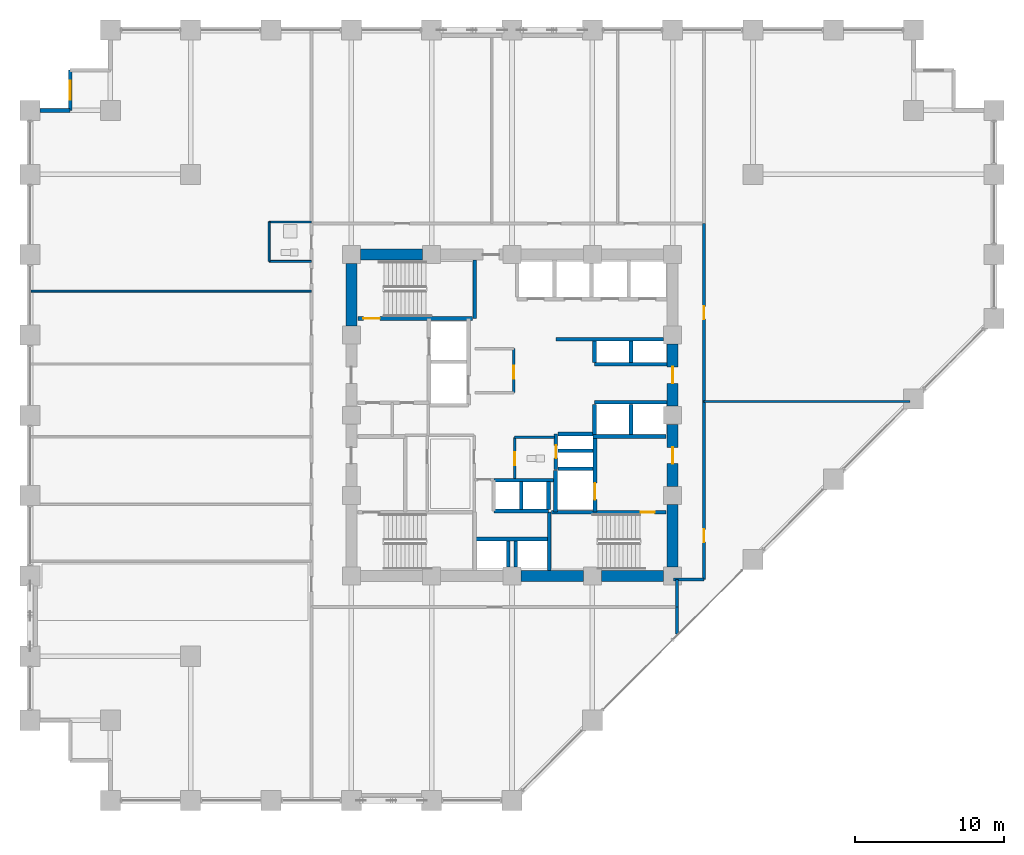
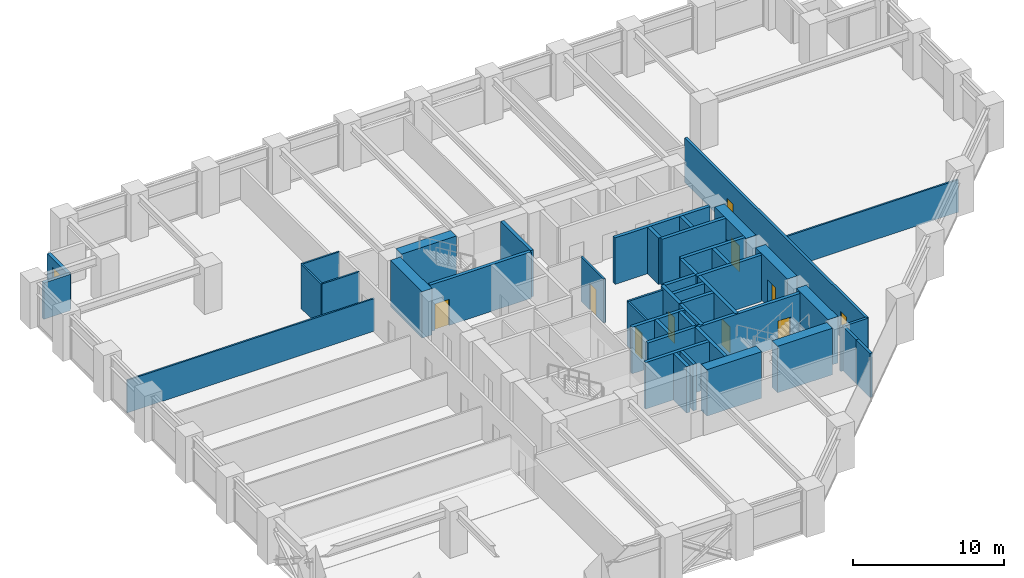
# One storey, part 21 of 25: 46 walls, 10 doors, 1 window, 11 openings.
"""IFC4 building model written with IfcOpenShell, lengths in metres."""

from ifc_helpers import new_model, si_unit, direction, frame, frame_2d, origin, place, context, subcontext, project, spatial, rectangle, extrude, material, layer, layer_set, type_object, element, fill, save


model = new_model("IFC4")

# Units and contexts
model_context = context("Model", 3, precision=1e-05, world=origin(), true_north=direction((0.0, 1.0)))
body_context = subcontext(model_context, "Body", "Model", "MODEL_VIEW")
ifc_project = project(units=[si_unit("LENGTHUNIT", "METRE"), si_unit("AREAUNIT", "SQUARE_METRE"), si_unit("VOLUMEUNIT", "CUBIC_METRE"), si_unit("PLANEANGLEUNIT", "RADIAN"), si_unit("MASSUNIT", "GRAM", prefix="KILO")], contexts=[model_context])

# Site, building, storey
site_placement = place(None, origin())
site = spatial("IfcSite", under=ifc_project, at=site_placement, CompositionType="ELEMENT")
building_placement = place(site_placement, origin())
building = spatial("IfcBuilding", under=site, at=building_placement, Name="Surkhivell Harbour Commons", CompositionType="ELEMENT")
storey_placement = place(building_placement, frame((0.0, 0.0, 33.75)))
storey = spatial("IfcBuildingStorey", under=building, at=storey_placement, Name="L08", CompositionType="ELEMENT", Elevation=33.75)

# Walls
ifc_material_1 = material(Name="Concrete C60/75", Category="concrete")
ifc_layer_1 = layer(ifc_material_1, 0.75)
ifc_layer_set_1 = layer_set([ifc_layer_1], Name="Concrete C60/75")
wall_type_1 = type_object("IfcWallType", Name="WAL-CORE-750", PredefinedType="SHEAR", material=ifc_layer_set_1)
for number, where, z_axis, x_axis, name in (
    (1, (-10.18994140625, 10.800048828125, 0.0), (0.0, 0.0, 1.0), (1.0, 0.0, 0.0), "L08 Core Shear Wall North 1"),
    (2, (10.800048828125, -10.18994140625, 0.0), (0.0, 0.0, 1.0), (0.0, 1.0, 0.0), "L08 Core Shear Wall East 1"),
):
    element("IfcWall", number, at=place(storey_placement, frame(where, z_axis=z_axis, x_axis=x_axis)), inside=storey, type_object=wall_type_1, Name=name, PredefinedType="SHEAR", context=body_context, shape_type="SweptSolid", body=[
        extrude(rectangle(XDim=4.179931640625, YDim=0.75, at=frame_2d((2.08984375, 0.0))), origin(), (0.0, 0.0, 1.0), 3.75),
    ])

# Wall, opening, door
wall_1_placement = place(storey_placement, frame((10.800048828125, -4.7900390625, 0.0), z_axis=(0.0, 0.0, 1.0), x_axis=(0.0, 1.0, 0.0)))
wall_1 = element("IfcWall", 3, at=wall_1_placement, inside=storey, type_object=wall_type_1, Name="L08 Core Shear Wall East 2", PredefinedType="SHEAR", context=body_context, shape_type="SweptSolid", body=[
    extrude(rectangle(XDim=4.179931640625, YDim=0.75, at=frame_2d((2.08984375, 0.0))), origin(), (0.0, 0.0, 1.0), 3.75),
])
opening_1_placement = place(wall_1_placement, frame((1.5400390625, 0.0, 0.0)))
opening_1 = element("IfcOpeningElement", 4, at=opening_1_placement, cuts=wall_1, Name="Opening ID-1", PredefinedType="OPENING", context=body_context, shape_type="SweptSolid", body=[
    extrude(rectangle(XDim=1.10009765625, YDim=2.10009765625, at=frame_2d((0.550048828125, 1.050048828125))), frame((0.0, 0.385009765625, 0.0), z_axis=(0.0, -1.0, 0.0), x_axis=(1.0, 0.0, 0.0)), (0.0, 0.0, 1.0), 0.77001953125),
])
ifc_material_2 = material(Name="Hardwood-veneered fire-rated door leaf", Category="wood")
door_type_1 = type_object("IfcDoorType", Name="DOR-FD120-1100", OperationType="NOTDEFINED", PredefinedType="DOOR", material=ifc_material_2)
door_1_placement = place(opening_1_placement, origin())
door_1 = element("IfcDoor", 5, at=door_1_placement, inside=storey, type_object=door_type_1, Name="L08 Firefighting Lobby 2 Corridor Door", OperationType="SINGLE_SWING_RIGHT", OverallHeight=2.10009765625, OverallWidth=1.10009765625, PredefinedType="DOOR", context=body_context, shape_type="SweptSolid", body=[
    extrude(rectangle(XDim=1.10009765625, YDim=2.10009765625, at=frame_2d((0.550048828125, 1.050048828125))), frame((0.0, 0.02490234375, 0.0), z_axis=(0.0, -1.0, 0.0), x_axis=(1.0, 0.0, 0.0)), (0.0, 0.0, 1.0), 0.050048828125),
])
fill(opening_1, door_1)

# Wall
wall_2_placement = place(storey_placement, frame((0.610107421875, -10.800048828125, 0.0), z_axis=(0.0, 0.0, 1.0), x_axis=(1.0, 0.0, 0.0)))
element("IfcWall", 6, at=wall_2_placement, inside=storey, type_object=wall_type_1, Name="L08 Core Shear Wall South 3", PredefinedType="SHEAR", context=body_context, shape_type="SweptSolid", body=[
    extrude(rectangle(XDim=4.179931640625, YDim=0.75, at=frame_2d((2.08984375, 0.0))), origin(), (0.0, 0.0, 1.0), 3.75),
])

# Wall, opening, door
wall_3_placement = place(storey_placement, frame((10.800048828125, 0.610107421875, 0.0), z_axis=(0.0, 0.0, 1.0), x_axis=(0.0, 1.0, 0.0)))
wall_3 = element("IfcWall", 7, at=wall_3_placement, inside=storey, type_object=wall_type_1, Name="L08 Core Shear Wall East 3", PredefinedType="SHEAR", context=body_context, shape_type="SweptSolid", body=[
    extrude(rectangle(XDim=4.179931640625, YDim=0.75, at=frame_2d((2.08984375, 0.0))), origin(), (0.0, 0.0, 1.0), 3.75),
])
opening_2_placement = place(wall_3_placement, frame((1.5400390625, 0.0, 0.0)))
opening_2 = element("IfcOpeningElement", 8, at=opening_2_placement, cuts=wall_3, Name="Opening ID-2", PredefinedType="OPENING", context=body_context, shape_type="SweptSolid", body=[
    extrude(rectangle(XDim=1.10009765625, YDim=2.10009765625, at=frame_2d((0.550048828125, 1.050048828125))), frame((0.0, 0.385009765625, 0.0), z_axis=(0.0, -1.0, 0.0), x_axis=(1.0, 0.0, 0.0)), (0.0, 0.0, 1.0), 0.77001953125),
])
door_type_2 = type_object("IfcDoorType", Name="DOR-FD60-1100", OperationType="NOTDEFINED", PredefinedType="DOOR", material=ifc_material_2)
door_2_placement = place(opening_2_placement, origin())
door_2 = element("IfcDoor", 9, at=door_2_placement, inside=storey, type_object=door_type_2, Name="L08 Mid-Rise Lobby East Door", OperationType="SINGLE_SWING_LEFT", OverallHeight=2.10009765625, OverallWidth=1.10009765625, PredefinedType="DOOR", context=body_context, shape_type="SweptSolid", body=[
    extrude(rectangle(XDim=1.10009765625, YDim=2.10009765625, at=frame_2d((0.550048828125, 1.050048828125))), frame((0.0, 0.02490234375, 0.0), z_axis=(0.0, -1.0, 0.0), x_axis=(1.0, 0.0, 0.0)), (0.0, 0.0, 1.0), 0.050048828125),
])
fill(opening_2, door_2)

# Walls
for number, where, z_axis, x_axis, name in (
    (10, (6.010009765625, -10.800048828125, 0.0), (0.0, 0.0, 1.0), (1.0, 0.0, 0.0), "L08 Core Shear Wall South 4"),
    (11, (-10.800048828125, 6.010009765625, 0.0), (0.0, 0.0, 1.0), (0.0, 1.0, 0.0), "L08 Core Shear Wall West 4"),
):
    element("IfcWall", number, at=place(storey_placement, frame(where, z_axis=z_axis, x_axis=x_axis)), inside=storey, type_object=wall_type_1, Name=name, PredefinedType="SHEAR", context=body_context, shape_type="SweptSolid", body=[
        extrude(rectangle(XDim=4.179931640625, YDim=0.75, at=frame_2d((2.08984375, 0.0))), origin(), (0.0, 0.0, 1.0), 3.75),
    ])

# Wall, opening, window
ifc_material_3 = material(Name="Pale-metal insulated precast concrete C45/55", Category="concrete")
ifc_layer_2 = layer(ifc_material_3, 0.260009765625)
ifc_layer_set_2 = layer_set([ifc_layer_2], Name="Pale-metal insulated precast concrete C45/55")
wall_type_2 = type_object("IfcWallType", Name="WAL-EXT-MTL260", PredefinedType="STANDARD", material=ifc_layer_set_2)
wall_4_placement = place(storey_placement, frame((-29.699951171875, 23.199951171875, 0.0), z_axis=(0.0, 0.0, 1.0), x_axis=(0.0, -1.0, 0.0)))
wall_4 = element("IfcWall", 12, at=wall_4_placement, inside=storey, type_object=wall_type_2, Name="L08 Serrated Corner Facade Wall 10", PredefinedType="STANDARD", context=body_context, shape_type="SweptSolid", body=[
    extrude(rectangle(XDim=2.699951171875, YDim=0.260009765625, at=frame_2d((1.35009765625, 0.0))), origin(), (0.0, 0.0, 1.0), 2.929931640625),
])
opening_3_placement = place(wall_4_placement, frame((0.72509765625, 0.0, 0.64990234375)))
opening_3 = element("IfcOpeningElement", 13, at=opening_3_placement, cuts=wall_4, Name="Opening WN-09", PredefinedType="OPENING", context=body_context, shape_type="SweptSolid", body=[
    extrude(rectangle(XDim=1.25, YDim=1.60009765625, at=frame_2d((0.625, 0.800048828125))), frame((0.0, 0.139892578125, 0.0), z_axis=(0.0, -1.0, 0.0), x_axis=(1.0, 0.0, 0.0)), (0.0, 0.0, 1.0), 0.280029296875),
])
ifc_material_4 = material(Name="Thermal-break aluminium frame and double low-E glazing", Category="aluminium")
window_type = type_object("IfcWindowType", Name="WIN-SER-1250x1600", PartitioningType="SINGLE_PANEL", PredefinedType="WINDOW", material=ifc_material_4)
window_placement = place(opening_3_placement, origin())
window = element("IfcWindow", 14, at=window_placement, inside=storey, type_object=window_type, Name="L08 Serrated Alcove Window 10", OverallHeight=1.60009765625, OverallWidth=1.25, PartitioningType="SINGLE_PANEL", PredefinedType="WINDOW", context=body_context, shape_type="SweptSolid", body=[
    extrude(rectangle(XDim=1.25, YDim=1.60009765625, at=frame_2d((0.625, 0.800048828125))), frame((0.0, 0.030029296875, 0.0), z_axis=(0.0, -1.0, 0.0), x_axis=(1.0, 0.0, 0.0)), (0.0, 0.0, 1.0), 0.06005859375),
])
fill(opening_3, window)

# Walls
wall_5_placement = place(storey_placement, frame((-29.699951171875, 20.5, 0.0), z_axis=(0.0, 0.0, 1.0), x_axis=(-1.0, 0.0, 0.0)))
element("IfcWall", 15, at=wall_5_placement, inside=storey, type_object=wall_type_2, Name="L08 Serrated Corner Facade Wall 11", PredefinedType="STANDARD", context=body_context, shape_type="SweptSolid", body=[
    extrude(rectangle(XDim=2.027099609375, YDim=0.260009765625, at=frame_2d((1.013671875, 0.0))), origin(), (0.0, 0.0, 1.0), 2.929931640625),
])
ifc_material_5 = material(Name="Moisture-resistant acoustic stud partition", Category="other")
ifc_layer_3 = layer(ifc_material_5, 0.125)
ifc_layer_set_3 = layer_set([ifc_layer_3], Name="Moisture-resistant acoustic stud partition")
wall_type_3 = type_object("IfcWallType", Name="WAL-INT-125", PredefinedType="PARTITIONING", material=ifc_layer_set_3)
wall_6_placement = place(storey_placement, frame((12.89990234375, 0.929931640625, 0.0), z_axis=(0.0, 0.0, 1.0), x_axis=(1.0, 0.0, 0.0)))
element("IfcWall", 16, at=wall_6_placement, inside=storey, type_object=wall_type_3, Name="L08 East Partition P1", PredefinedType="PARTITIONING", context=body_context, shape_type="SweptSolid", body=[
    extrude(rectangle(XDim=13.84521484375, YDim=0.125, at=frame_2d((6.922607421875, 0.0))), origin(), (0.0, 0.0, 1.0), 2.62890625),
])
wall_7_placement = place(storey_placement, frame((-16.330078125, 10.35009765625, 0.0), z_axis=(0.0, 0.0, 1.0), x_axis=(0.0, 1.0, 0.0)))
element("IfcWall", 17, at=wall_7_placement, inside=storey, type_object=wall_type_3, Name="L08 West Partition BTHB", PredefinedType="PARTITIONING", context=body_context, shape_type="SweptSolid", body=[
    extrude(rectangle(XDim=2.64990234375, YDim=0.125, at=frame_2d((1.324951171875, 0.0))), origin(), (0.0, 0.0, 1.0), 3.570068359375),
])
for number, where, z_axis, x_axis, name in (
    (18, (-16.330078125, 13.0, 0.0), (0.0, 0.0, 1.0), (1.0, 0.0, 0.0), "L08 West Partition BTHN"),
    (19, (-16.330078125, 10.35009765625, 0.0), (0.0, 0.0, 1.0), (1.0, 0.0, 0.0), "L08 West Partition BTHS"),
):
    element("IfcWall", number, at=place(storey_placement, frame(where, z_axis=z_axis, x_axis=x_axis)), inside=storey, type_object=wall_type_3, Name=name, PredefinedType="PARTITIONING", context=body_context, shape_type="SweptSolid", body=[
        extrude(rectangle(XDim=2.85009765625, YDim=0.125, at=frame_2d((1.425048828125, 0.0))), origin(), (0.0, 0.0, 1.0), 3.570068359375),
    ])
wall_8_placement = place(storey_placement, frame((-32.340087890625, 8.35009765625, 0.0), z_axis=(0.0, 0.0, 1.0), x_axis=(1.0, 0.0, 0.0)))
element("IfcWall", 20, at=wall_8_placement, inside=storey, type_object=wall_type_3, Name="L08 West Partition PTOP", PredefinedType="PARTITIONING", context=body_context, shape_type="SweptSolid", body=[
    extrude(rectangle(XDim=18.860107421875, YDim=0.125, at=frame_2d((9.43017578125, 0.0))), origin(), (0.0, 0.0, 1.0), 2.62890625),
])
ifc_material_6 = material(Name="Twin-stud acoustic fireboard partition", Category="other")
ifc_layer_4 = layer(ifc_material_6, 0.14990234375)
ifc_layer_set_4 = layer_set([ifc_layer_4], Name="Twin-stud acoustic fireboard partition")
wall_type_4 = type_object("IfcWallType", Name="WAL-INT-150", PredefinedType="PARTITIONING", material=ifc_layer_set_4)
wall_9_placement = place(storey_placement, frame((0.179931640625, -1.47998046875, 0.0), z_axis=(0.0, 0.0, 1.0), x_axis=(1.0, 0.0, 0.0)))
element("IfcWall", 21, at=wall_9_placement, inside=storey, type_object=wall_type_4, Name="L08 Core Accessible WC North Wall", PredefinedType="PARTITIONING", context=body_context, shape_type="SweptSolid", body=[
    extrude(rectangle(XDim=2.670166015625, YDim=0.14990234375, at=frame_2d((1.3349609375, 0.0))), origin(), (0.0, 0.0, 1.0), 3.570068359375),
])

# Wall, opening, door
wall_10_placement = place(storey_placement, frame((0.179931640625, -4.25, 0.0), z_axis=(0.0, 0.0, 1.0), x_axis=(0.0, 1.0, 0.0)))
wall_10 = element("IfcWall", 22, at=wall_10_placement, inside=storey, type_object=wall_type_4, Name="L08 Core Accessible WC West Wall", PredefinedType="PARTITIONING", context=body_context, shape_type="SweptSolid", body=[
    extrude(rectangle(XDim=2.77001953125, YDim=0.14990234375, at=frame_2d((1.385009765625, 0.0))), origin(), (0.0, 0.0, 1.0), 3.570068359375),
])
opening_4_placement = place(wall_10_placement, frame((0.89990234375, 0.0, 0.0)))
opening_4 = element("IfcOpeningElement", 23, at=opening_4_placement, cuts=wall_10, Name="Opening ID-6", PredefinedType="OPENING", context=body_context, shape_type="SweptSolid", body=[
    extrude(rectangle(XDim=0.85009765625, YDim=2.10009765625, at=frame_2d((0.425048828125, 1.050048828125))), frame((0.0, 0.0849609375, 0.0), z_axis=(0.0, -1.0, 0.0), x_axis=(1.0, 0.0, 0.0)), (0.0, 0.0, 1.0), 0.169921875),
])
door_type_3 = type_object("IfcDoorType", Name="DOR-FD30-850", OperationType="NOTDEFINED", PredefinedType="DOOR", material=ifc_material_2)
door_3_placement = place(opening_4_placement, origin())
door_3 = element("IfcDoor", 24, at=door_3_placement, inside=storey, type_object=door_type_3, Name="L08 Floor Accessible WC Door", OperationType="SINGLE_SWING_LEFT", OverallHeight=2.10009765625, OverallWidth=0.85009765625, PredefinedType="DOOR", context=body_context, shape_type="SweptSolid", body=[
    extrude(rectangle(XDim=0.85009765625, YDim=2.10009765625, at=frame_2d((0.425048828125, 1.050048828125))), frame((0.0, 0.02490234375, 0.0), z_axis=(0.0, -1.0, 0.0), x_axis=(1.0, 0.0, 0.0)), (0.0, 0.0, 1.0), 0.050048828125),
])
fill(opening_4, door_3)

wall_11_placement = place(storey_placement, frame((0.1201171875, 1.52001953125, 0.0), z_axis=(0.0, 0.0, 1.0), x_axis=(0.0, 1.0, 0.0)))
wall_11 = element("IfcWall", 25, at=wall_11_placement, inside=storey, type_object=wall_type_4, Name="L08 Central Reading East Wall", PredefinedType="PARTITIONING", context=body_context, shape_type="SweptSolid", body=[
    extrude(rectangle(XDim=2.9599609375, YDim=0.14990234375, at=frame_2d((1.47998046875, 0.0))), origin(), (0.0, 0.0, 1.0), 3.570068359375),
])
opening_5_placement = place(wall_11_placement, frame((0.949951171875, 0.0, 0.0)))
opening_5 = element("IfcOpeningElement", 26, at=opening_5_placement, cuts=wall_11, Name="Opening ID-6", PredefinedType="OPENING", context=body_context, shape_type="SweptSolid", body=[
    extrude(rectangle(XDim=0.85009765625, YDim=2.10009765625, at=frame_2d((0.425048828125, 1.050048828125))), frame((0.0, 0.0849609375, 0.0), z_axis=(0.0, -1.0, 0.0), x_axis=(1.0, 0.0, 0.0)), (0.0, 0.0, 1.0), 0.169921875),
])
door_4_placement = place(opening_5_placement, origin())
door_4 = element("IfcDoor", 27, at=door_4_placement, inside=storey, type_object=door_type_3, Name="L08 Central Core Reading Door", OperationType="SINGLE_SWING_RIGHT", OverallHeight=2.10009765625, OverallWidth=0.85009765625, PredefinedType="DOOR", context=body_context, shape_type="SweptSolid", body=[
    extrude(rectangle(XDim=0.85009765625, YDim=2.10009765625, at=frame_2d((0.425048828125, 1.050048828125))), frame((0.0, 0.02490234375, 0.0), z_axis=(0.0, -1.0, 0.0), x_axis=(1.0, 0.0, 0.0)), (0.0, 0.0, 1.0), 0.050048828125),
])
fill(opening_5, door_4)

# Wall
ifc_material_7 = material(Name="Autoclaved aerated concrete blockwork and fire plaster", Category="masonry")
ifc_layer_5 = layer(ifc_material_7, 0.199951171875)
ifc_layer_set_5 = layer_set([ifc_layer_5], Name="Autoclaved aerated concrete blockwork and fire plaster")
wall_type_5 = type_object("IfcWallType", Name="WAL-INT-200", PredefinedType="PARTITIONING", material=ifc_layer_set_5)
wall_12_placement = place(storey_placement, frame((11.10009765625, -14.715087890625, 0.0), z_axis=(0.0, 0.0, 1.0), x_axis=(0.0, 1.0, 0.0)))
element("IfcWall", 28, at=wall_12_placement, inside=storey, type_object=wall_type_5, Name="L08 South-East Wing Corner Divider", PredefinedType="PARTITIONING", context=body_context, shape_type="SweptSolid", body=[
    extrude(rectangle(XDim=1.815185546875, YDim=0.199951171875, at=frame_2d((0.90771484375, 0.0))), origin(), (0.0, 0.0, 1.0), 3.570068359375),
])

# Wall, openings, doors
wall_13_placement = place(storey_placement, frame((12.89990234375, -11.0400390625, 0.0), z_axis=(0.0, 0.0, 1.0), x_axis=(0.0, 1.0, 0.0)))
wall_13 = element("IfcWall", 29, at=wall_13_placement, inside=storey, type_object=wall_type_5, Name="L08 Corridor East Wall", PredefinedType="PARTITIONING", context=body_context, shape_type="SweptSolid", body=[
    extrude(rectangle(XDim=23.93994140625, YDim=0.199951171875, at=frame_2d((11.969970703125, 0.0))), origin(), (0.0, 0.0, 1.0), 3.570068359375),
])
opening_6_placement = place(wall_13_placement, frame((2.513916015625, 0.0, 0.0)))
opening_6 = element("IfcOpeningElement", 30, at=opening_6_placement, cuts=wall_13, Name="Opening ID-6", PredefinedType="OPENING", context=body_context, shape_type="SweptSolid", body=[
    extrude(rectangle(XDim=0.85009765625, YDim=2.10009765625, at=frame_2d((0.425048828125, 1.050048828125))), frame((0.0, 0.10986328125, 0.0), z_axis=(0.0, -1.0, 0.0), x_axis=(1.0, 0.0, 0.0)), (0.0, 0.0, 1.0), 0.219970703125),
])
opening_7_placement = place(wall_13_placement, frame((17.5048828125, 0.0, 0.0)))
opening_7 = element("IfcOpeningElement", 31, at=opening_7_placement, cuts=wall_13, Name="Opening ID-6", PredefinedType="OPENING", context=body_context, shape_type="SweptSolid", body=[
    extrude(rectangle(XDim=0.85009765625, YDim=2.10009765625, at=frame_2d((0.425048828125, 1.050048828125))), frame((0.0, 0.10986328125, 0.0), z_axis=(0.0, -1.0, 0.0), x_axis=(1.0, 0.0, 0.0)), (0.0, 0.0, 1.0), 0.219970703125),
])
door_5_placement = place(opening_6_placement, origin())
door_5 = element("IfcDoor", 32, at=door_5_placement, inside=storey, type_object=door_type_3, Name="L08 Campus Co-Op Bookshop East Door", OperationType="SINGLE_SWING_LEFT", OverallHeight=2.10009765625, OverallWidth=0.85009765625, PredefinedType="DOOR", context=body_context, shape_type="SweptSolid", body=[
    extrude(rectangle(XDim=0.85009765625, YDim=2.10009765625, at=frame_2d((0.425048828125, 1.050048828125))), frame((0.0, 0.02490234375, 0.0), z_axis=(0.0, -1.0, 0.0), x_axis=(1.0, 0.0, 0.0)), (0.0, 0.0, 1.0), 0.050048828125),
])
fill(opening_6, door_5)
door_6_placement = place(opening_7_placement, origin())
door_6 = element("IfcDoor", 33, at=door_6_placement, inside=storey, type_object=door_type_3, Name="L08 Harbour Espresso Cafe Shop East Door", OperationType="SINGLE_SWING_RIGHT", OverallHeight=2.10009765625, OverallWidth=0.85009765625, PredefinedType="DOOR", context=body_context, shape_type="SweptSolid", body=[
    extrude(rectangle(XDim=0.85009765625, YDim=2.10009765625, at=frame_2d((0.425048828125, 1.050048828125))), frame((0.0, 0.02490234375, 0.0), z_axis=(0.0, -1.0, 0.0), x_axis=(1.0, 0.0, 0.0)), (0.0, 0.0, 1.0), 0.050048828125),
])
fill(opening_7, door_6)

# Walls
wall_14_placement = place(storey_placement, frame((10.85009765625, -11.0400390625, 0.0), z_axis=(0.0, 0.0, 1.0), x_axis=(1.0, 0.0, 0.0)))
element("IfcWall", 34, at=wall_14_placement, inside=storey, type_object=wall_type_5, Name="L08 Corridor East South Closure Wall", PredefinedType="PARTITIONING", context=body_context, shape_type="SweptSolid", body=[
    extrude(rectangle(XDim=2.0498046875, YDim=0.199951171875, at=frame_2d((1.02490234375, 0.0))), origin(), (0.0, 0.0, 1.0), 3.570068359375),
])
wall_15_placement = place(storey_placement, frame((11.10009765625, -12.89990234375, 0.0), z_axis=(0.0, 0.0, 1.0), x_axis=(0.0, 1.0, 0.0)))
element("IfcWall", 35, at=wall_15_placement, inside=storey, type_object=wall_type_5, Name="L08 Corridor SE Closure Wall", PredefinedType="PARTITIONING", context=body_context, shape_type="SweptSolid", body=[
    extrude(rectangle(XDim=1.85986328125, YDim=0.199951171875, at=frame_2d((0.929931640625, 0.0))), origin(), (0.0, 0.0, 1.0), 3.570068359375),
])
ifc_material_8 = material(Name="Concrete C50/60", Category="concrete")
ifc_layer_6 = layer(ifc_material_8, 0.25)
ifc_layer_set_6 = layer_set([ifc_layer_6], Name="Concrete C50/60")
wall_type_6 = type_object("IfcWallType", Name="WAL-SHAFT-250", PredefinedType="SHEAR", material=ifc_layer_set_6)
wall_16_placement = place(storey_placement, frame((2.929931640625, -6.510009765625, 0.0), z_axis=(0.0, 0.0, 1.0), x_axis=(0.0, 1.0, 0.0)))
element("IfcWall", 36, at=wall_16_placement, inside=storey, type_object=wall_type_6, Name="L08 FFL2 West Shaft Wall", PredefinedType="SHEAR", context=body_context, shape_type="SweptSolid", body=[
    extrude(rectangle(XDim=2.7900390625, YDim=0.25, at=frame_2d((1.39501953125, 0.0))), origin(), (0.0, 0.0, 1.0), 3.75),
])
wall_17_placement = place(storey_placement, frame((5.43994140625, -1.419921875, 0.0), z_axis=(0.0, 0.0, 1.0), x_axis=(1.0, 0.0, 0.0)))
element("IfcWall", 37, at=wall_17_placement, inside=storey, type_object=wall_type_6, Name="L08 Firefighting Lobby 2 North Wall", PredefinedType="SHEAR", context=body_context, shape_type="SweptSolid", body=[
    extrude(rectangle(XDim=4.900146484375, YDim=0.25, at=frame_2d((2.4501953125, 0.0))), origin(), (0.0, 0.0, 1.0), 3.75),
])
wall_18_placement = place(storey_placement, frame((3.080078125, -3.60009765625, 0.0), z_axis=(0.0, 0.0, 1.0), x_axis=(1.0, 0.0, 0.0)))
element("IfcWall", 38, at=wall_18_placement, inside=storey, type_object=wall_type_6, Name="L08 FFL2 North Shaft Wall", PredefinedType="SHEAR", context=body_context, shape_type="SweptSolid", body=[
    extrude(rectangle(XDim=2.369873046875, YDim=0.25, at=frame_2d((1.18505859375, 0.0))), origin(), (0.0, 0.0, 1.0), 3.75),
])

# Wall, opening, door
wall_19_placement = place(storey_placement, frame((5.580078125, -6.510009765625, 0.0), z_axis=(0.0, 0.0, 1.0), x_axis=(0.0, 1.0, 0.0)))
wall_19 = element("IfcWall", 39, at=wall_19_placement, inside=storey, type_object=wall_type_6, Name="L08 Firefighting Lobby 2 West Shaft Wall", PredefinedType="SHEAR", context=body_context, shape_type="SweptSolid", body=[
    extrude(rectangle(XDim=5.090087890625, YDim=0.25, at=frame_2d((2.544921875, 0.0))), origin(), (0.0, 0.0, 1.0), 3.75),
])
opening_8_placement = place(wall_19_placement, frame((0.85009765625, 0.0, 0.0)))
opening_8 = element("IfcOpeningElement", 40, at=opening_8_placement, cuts=wall_19, Name="Opening LD-1", PredefinedType="OPENING", context=body_context, shape_type="SweptSolid", body=[
    extrude(rectangle(XDim=1.10009765625, YDim=2.10009765625, at=frame_2d((0.550048828125, 1.050048828125))), frame((0.0, 0.135009765625, 0.0), z_axis=(0.0, -1.0, 0.0), x_axis=(1.0, 0.0, 0.0)), (0.0, 0.0, 1.0), 0.27001953125),
])
ifc_material_9 = material(Name="Brushed stainless steel S355", Category="steel")
door_type_4 = type_object("IfcDoorType", Name="DOR-LD-1100", OperationType="SLIDING_TO_LEFT", PredefinedType="DOOR", material=ifc_material_9)
door_7_placement = place(opening_8_placement, origin())
door_7 = element("IfcDoor", 41, at=door_7_placement, inside=storey, type_object=door_type_4, Name="L08 Lift Landing Door LD-FFL2", OperationType="SLIDING_TO_RIGHT", OverallHeight=2.10009765625, OverallWidth=1.10009765625, PredefinedType="DOOR", context=body_context, shape_type="SweptSolid", body=[
    extrude(rectangle(XDim=1.10009765625, YDim=2.10009765625, at=frame_2d((0.550048828125, 1.050048828125))), frame((0.0, 0.02490234375, 0.0), z_axis=(0.0, -1.0, 0.0), x_axis=(1.0, 0.0, 0.0)), (0.0, 0.0, 1.0), 0.050048828125),
])
fill(opening_8, door_7)

# Walls
for number, where, z_axis, x_axis, name in (
    (42, (0.6201171875, -6.340087890625, 0.0), (0.0, 0.0, 1.0), (0.0, 1.0, 0.0), "L08 High-Rise Side Wall N"),
    (43, (2.449951171875, -6.340087890625, 0.0), (0.0, 0.0, 1.0), (0.0, 1.0, 0.0), "L08 High-Rise Side Wall N"),
):
    element("IfcWall", number, at=place(storey_placement, frame(where, z_axis=z_axis, x_axis=x_axis)), inside=storey, type_object=wall_type_6, Name=name, PredefinedType="SHEAR", context=body_context, shape_type="SweptSolid", body=[
        extrude(rectangle(XDim=1.880126953125, YDim=0.25, at=frame_2d((0.93994140625, 0.0))), origin(), (0.0, 0.0, 1.0), 3.75),
    ])
for number, where, z_axis, x_axis, name in (
    (44, (-0.25, -10.199951171875, 0.0), (0.0, 0.0, 1.0), (0.0, 1.0, 0.0), "L08 High-Rise Side Wall S"),
    (45, (0.25, -10.199951171875, 0.0), (0.0, 0.0, 1.0), (0.0, 1.0, 0.0), "L08 High-Rise Side Wall S"),
):
    element("IfcWall", number, at=place(storey_placement, frame(where, z_axis=z_axis, x_axis=x_axis)), inside=storey, type_object=wall_type_6, Name=name, PredefinedType="SHEAR", context=body_context, shape_type="SweptSolid", body=[
        extrude(rectangle(XDim=1.760009765625, YDim=0.25, at=frame_2d((0.8798828125, 0.0))), origin(), (0.0, 0.0, 1.0), 3.75),
    ])
wall_20_placement = place(storey_placement, frame((-1.219970703125, -6.43994140625, 0.0), z_axis=(0.0, 0.0, 1.0), x_axis=(1.0, 0.0, 0.0)))
element("IfcWall", 46, at=wall_20_placement, inside=storey, type_object=wall_type_6, Name="L08 High-Rise North Front Shaft Wall", PredefinedType="SHEAR", context=body_context, shape_type="SweptSolid", body=[
    extrude(rectangle(XDim=3.669921875, YDim=0.25, at=frame_2d((1.8349609375, 0.0))), origin(), (0.0, 0.0, 1.0), 3.75),
])
wall_21_placement = place(storey_placement, frame((-2.47998046875, -8.320068359375, 0.0), z_axis=(0.0, 0.0, 1.0), x_axis=(1.0, 0.0, 0.0)))
element("IfcWall", 47, at=wall_21_placement, inside=storey, type_object=wall_type_6, Name="L08 High-Rise South Front Shaft Wall", PredefinedType="SHEAR", context=body_context, shape_type="SweptSolid", body=[
    extrude(rectangle(XDim=4.929931640625, YDim=0.25, at=frame_2d((2.46484375, 0.0))), origin(), (0.0, 0.0, 1.0), 3.75),
])
wall_22_placement = place(storey_placement, frame((-1.219970703125, -4.360107421875, 0.0), z_axis=(0.0, 0.0, 1.0), x_axis=(1.0, 0.0, 0.0)))
element("IfcWall", 48, at=wall_22_placement, inside=storey, type_object=wall_type_6, Name="L08 High-Rise North Back Shaft Wall", PredefinedType="SHEAR", context=body_context, shape_type="SweptSolid", body=[
    extrude(rectangle(XDim=4.030029296875, YDim=0.25, at=frame_2d((2.01513671875, 0.0))), origin(), (0.0, 0.0, 1.0), 3.75),
])
wall_23_placement = place(storey_placement, frame((2.949951171875, 5.1201171875, 0.0), z_axis=(0.0, 0.0, 1.0), x_axis=(1.0, 0.0, 0.0)))
element("IfcWall", 49, at=wall_23_placement, inside=storey, type_object=wall_type_6, Name="L08 Low-Rise Lobby South Wall", PredefinedType="SHEAR", context=body_context, shape_type="SweptSolid", body=[
    extrude(rectangle(XDim=7.25, YDim=0.25, at=frame_2d((3.625, 0.0))), origin(), (0.0, 0.0, 1.0), 3.75),
])
for number, where, z_axis, x_axis, name in (
    (50, (5.550048828125, 3.550048828125, 0.0), (0.0, 0.0, 1.0), (0.0, 1.0, 0.0), "L08 Mid-Rise Shaft Side Wall N"),
    (51, (8.0, 3.550048828125, 0.0), (0.0, 0.0, 1.0), (0.0, 1.0, 0.0), "L08 Mid-Rise Shaft Side Wall N"),
):
    element("IfcWall", number, at=place(storey_placement, frame(where, z_axis=z_axis, x_axis=x_axis)), inside=storey, type_object=wall_type_6, Name=name, PredefinedType="SHEAR", context=body_context, shape_type="SweptSolid", body=[
        extrude(rectangle(XDim=1.449951171875, YDim=0.25, at=frame_2d((0.72509765625, 0.0))), origin(), (0.0, 0.0, 1.0), 3.75),
    ])
for number, where, z_axis, x_axis, name in (
    (52, (5.550048828125, -1.300048828125, 0.0), (0.0, 0.0, 1.0), (0.0, 1.0, 0.0), "L08 Mid-Rise Shaft Side Wall S"),
    (53, (8.0, -1.300048828125, 0.0), (0.0, 0.0, 1.0), (0.0, 1.0, 0.0), "L08 Mid-Rise Shaft Side Wall S"),
):
    element("IfcWall", number, at=place(storey_placement, frame(where, z_axis=z_axis, x_axis=x_axis)), inside=storey, type_object=wall_type_6, Name=name, PredefinedType="SHEAR", context=body_context, shape_type="SweptSolid", body=[
        extrude(rectangle(XDim=2.0400390625, YDim=0.25, at=frame_2d((1.02001953125, 0.0))), origin(), (0.0, 0.0, 1.0), 3.75),
    ])
for number, where, z_axis, x_axis, name in (
    (54, (5.550048828125, 3.429931640625, 0.0), (0.0, 0.0, 1.0), (1.0, 0.0, 0.0), "L08 Mid-Rise North Front Shaft Wall"),
    (55, (5.550048828125, 0.8701171875, 0.0), (0.0, 0.0, 1.0), (1.0, 0.0, 0.0), "L08 Mid-Rise South Front Shaft Wall"),
):
    element("IfcWall", number, at=place(storey_placement, frame(where, z_axis=z_axis, x_axis=x_axis)), inside=storey, type_object=wall_type_6, Name=name, PredefinedType="SHEAR", context=body_context, shape_type="SweptSolid", body=[
        extrude(rectangle(XDim=4.875, YDim=0.25, at=frame_2d((2.4375, 0.0))), origin(), (0.0, 0.0, 1.0), 3.75),
    ])
for number, where, z_axis, x_axis, name in (
    (56, (3.080078125, -2.3798828125, 0.0), (0.0, 0.0, 1.0), (1.0, 0.0, 0.0), "L08 Riser Divider Wall"),
    (57, (3.080078125, -1.25, 0.0), (0.0, 0.0, 1.0), (1.0, 0.0, 0.0), "L08 Riser North Wall"),
):
    element("IfcWall", number, at=place(storey_placement, frame(where, z_axis=z_axis, x_axis=x_axis)), inside=storey, type_object=wall_type_6, Name=name, PredefinedType="SHEAR", context=body_context, shape_type="SweptSolid", body=[
        extrude(rectangle(XDim=2.369873046875, YDim=0.25, at=frame_2d((1.18505859375, 0.0))), origin(), (0.0, 0.0, 1.0), 3.75),
    ])

# Wall, opening, door
wall_24_placement = place(storey_placement, frame((2.949951171875, -3.64990234375, 0.0), z_axis=(0.0, 0.0, 1.0), x_axis=(0.0, 1.0, 0.0)))
wall_24 = element("IfcWall", 58, at=wall_24_placement, inside=storey, type_object=wall_type_6, Name="L08 Riser Shaft West Wall", PredefinedType="SHEAR", context=body_context, shape_type="SweptSolid", body=[
    extrude(rectangle(XDim=2.39990234375, YDim=0.25, at=frame_2d((1.199951171875, 0.0))), origin(), (0.0, 0.0, 1.0), 3.75),
])
opening_9_placement = place(wall_24_placement, frame((0.77490234375, 0.0, 0.0)))
opening_9 = element("IfcOpeningElement", 59, at=opening_9_placement, cuts=wall_24, Name="Opening ID-6", PredefinedType="OPENING", context=body_context, shape_type="SweptSolid", body=[
    extrude(rectangle(XDim=0.85009765625, YDim=2.10009765625, at=frame_2d((0.425048828125, 1.050048828125))), frame((0.0, 0.135009765625, 0.0), z_axis=(0.0, -1.0, 0.0), x_axis=(1.0, 0.0, 0.0)), (0.0, 0.0, 1.0), 0.27001953125),
])
door_8_placement = place(opening_9_placement, origin())
door_8 = element("IfcDoor", 60, at=door_8_placement, inside=storey, type_object=door_type_3, Name="L08 Electrical Riser Access Door", OperationType="SINGLE_SWING_LEFT", OverallHeight=2.10009765625, OverallWidth=0.85009765625, PredefinedType="DOOR", context=body_context, shape_type="SweptSolid", body=[
    extrude(rectangle(XDim=0.85009765625, YDim=2.10009765625, at=frame_2d((0.425048828125, 1.050048828125))), frame((0.0, 0.02490234375, 0.0), z_axis=(0.0, -1.0, 0.0), x_axis=(1.0, 0.0, 0.0)), (0.0, 0.0, 1.0), 0.050048828125),
])
fill(opening_9, door_8)

# Wall
wall_25_placement = place(storey_placement, frame((-2.510009765625, 6.510009765625, 0.0), z_axis=(0.0, 0.0, 1.0), x_axis=(0.0, 1.0, 0.0)))
element("IfcWall", 61, at=wall_25_placement, inside=storey, type_object=wall_type_6, Name="L08 Stair ST1 East Shear Wall", PredefinedType="SHEAR", context=body_context, shape_type="SweptSolid", body=[
    extrude(rectangle(XDim=3.9150390625, YDim=0.25, at=frame_2d((1.95751953125, 0.0))), origin(), (0.0, 0.0, 1.0), 3.75),
])

# Wall, opening, door
wall_26_placement = place(storey_placement, frame((-10.340087890625, 6.510009765625, 0.0), z_axis=(0.0, 0.0, 1.0), x_axis=(1.0, 0.0, 0.0)))
wall_26 = element("IfcWall", 62, at=wall_26_placement, inside=storey, type_object=wall_type_6, Name="L08 Stair ST1 South Shear Wall", PredefinedType="SHEAR", context=body_context, shape_type="SweptSolid", body=[
    extrude(rectangle(XDim=7.7001953125, YDim=0.25, at=frame_2d((3.85009765625, 0.0))), origin(), (0.0, 0.0, 1.0), 3.75),
])
opening_10_placement = place(wall_26_placement, frame((0.35009765625, 0.0, 0.0)))
opening_10 = element("IfcOpeningElement", 63, at=opening_10_placement, cuts=wall_26, Name="Opening ID-2", PredefinedType="OPENING", context=body_context, shape_type="SweptSolid", body=[
    extrude(rectangle(XDim=1.10009765625, YDim=2.10009765625, at=frame_2d((0.550048828125, 1.050048828125))), frame((0.0, 0.135009765625, 0.0), z_axis=(0.0, -1.0, 0.0), x_axis=(1.0, 0.0, 0.0)), (0.0, 0.0, 1.0), 0.27001953125),
])
door_9_placement = place(opening_10_placement, origin())
door_9 = element("IfcDoor", 64, at=door_9_placement, inside=storey, type_object=door_type_2, Name="L08 Stair ST1 Exit Door", OperationType="SINGLE_SWING_LEFT", OverallHeight=2.10009765625, OverallWidth=1.10009765625, PredefinedType="DOOR", context=body_context, shape_type="SweptSolid", body=[
    extrude(rectangle(XDim=1.10009765625, YDim=2.10009765625, at=frame_2d((0.550048828125, 1.050048828125))), frame((0.0, 0.02490234375, 0.0), z_axis=(0.0, -1.0, 0.0), x_axis=(1.0, 0.0, 0.0)), (0.0, 0.0, 1.0), 0.050048828125),
])
fill(opening_10, door_9)

wall_27_placement = place(storey_placement, frame((2.639892578125, -6.510009765625, 0.0), z_axis=(0.0, 0.0, 1.0), x_axis=(1.0, 0.0, 0.0)))
wall_27 = element("IfcWall", 65, at=wall_27_placement, inside=storey, type_object=wall_type_6, Name="L08 Stair ST2 North Shear Wall", PredefinedType="SHEAR", context=body_context, shape_type="SweptSolid", body=[
    extrude(rectangle(XDim=7.7001953125, YDim=0.25, at=frame_2d((3.85009765625, 0.0))), origin(), (0.0, 0.0, 1.0), 3.75),
])
opening_11_placement = place(wall_27_placement, frame((6.0, 0.0, 0.0)))
opening_11 = element("IfcOpeningElement", 66, at=opening_11_placement, cuts=wall_27, Name="Opening ID-4", PredefinedType="OPENING", context=body_context, shape_type="SweptSolid", body=[
    extrude(rectangle(XDim=0.949951171875, YDim=2.10009765625, at=frame_2d((0.47509765625, 1.050048828125))), frame((0.0, 0.135009765625, 0.0), z_axis=(0.0, -1.0, 0.0), x_axis=(1.0, 0.0, 0.0)), (0.0, 0.0, 1.0), 0.27001953125),
])
door_type_5 = type_object("IfcDoorType", Name="DOR-FD60-950", OperationType="NOTDEFINED", PredefinedType="DOOR", material=ifc_material_2)
door_10_placement = place(opening_11_placement, origin())
door_10 = element("IfcDoor", 67, at=door_10_placement, inside=storey, type_object=door_type_5, Name="L08 Stair ST2 Exit Door", OperationType="SINGLE_SWING_RIGHT", OverallHeight=2.10009765625, OverallWidth=0.949951171875, PredefinedType="DOOR", context=body_context, shape_type="SweptSolid", body=[
    extrude(rectangle(XDim=0.949951171875, YDim=2.10009765625, at=frame_2d((0.47509765625, 1.050048828125))), frame((0.0, 0.02490234375, 0.0), z_axis=(0.0, -1.0, 0.0), x_axis=(1.0, 0.0, 0.0)), (0.0, 0.0, 1.0), 0.050048828125),
])
fill(opening_11, door_10)

# Wall
wall_28_placement = place(storey_placement, frame((2.510009765625, -10.425048828125, 0.0), z_axis=(0.0, 0.0, 1.0), x_axis=(0.0, 1.0, 0.0)))
element("IfcWall", 68, at=wall_28_placement, inside=storey, type_object=wall_type_6, Name="L08 Stair ST2 West Shear Wall", PredefinedType="SHEAR", context=body_context, shape_type="SweptSolid", body=[
    extrude(rectangle(XDim=3.9150390625, YDim=0.25, at=frame_2d((1.95751953125, 0.0))), origin(), (0.0, 0.0, 1.0), 3.75),
])

save(model, "model.ifc")
